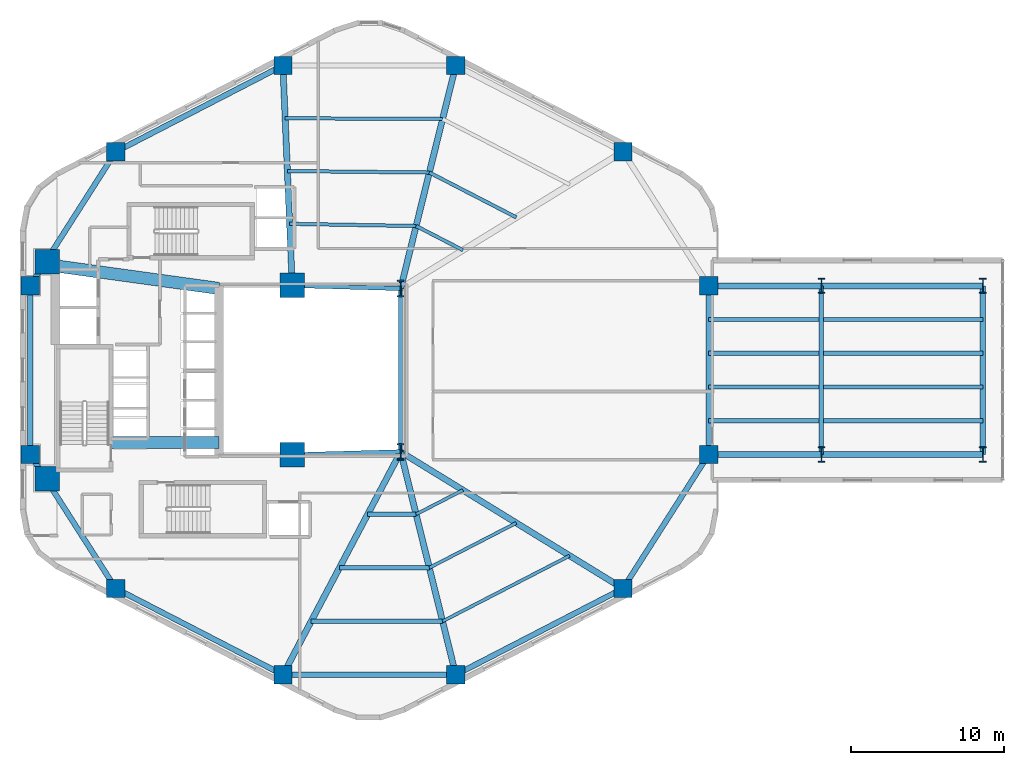
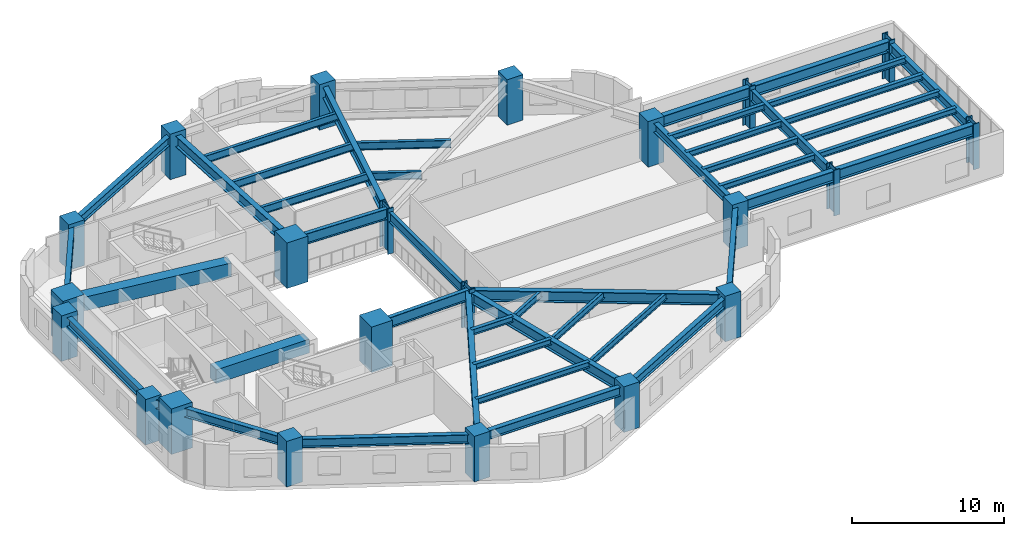
# One storey, part 1 of 10: 44 beams, 22 columns.
"""IFC4 building model written with IfcOpenShell, lengths in metres."""

from ifc_helpers import new_model, si_unit, direction, frame, origin, origin_2d, place, context, subcontext, project, spatial, rectangle, i_section, extrude, material, material_profile, profile_set, type_object, element, save


model = new_model("IFC4")

# Units and contexts
model_context = context("Model", 3, precision=1e-05, world=origin(), true_north=direction((0.0, 1.0)))
body_context = subcontext(model_context, "Body", "Model", "MODEL_VIEW")
ifc_project = project(units=[si_unit("LENGTHUNIT", "METRE"), si_unit("AREAUNIT", "SQUARE_METRE"), si_unit("VOLUMEUNIT", "CUBIC_METRE"), si_unit("PLANEANGLEUNIT", "RADIAN"), si_unit("MASSUNIT", "GRAM", prefix="KILO"), si_unit("THERMODYNAMICTEMPERATUREUNIT", "KELVIN"), si_unit("POWERUNIT", "WATT")], contexts=[model_context])

# Site, building, storey
site_placement = place(None, origin())
site = spatial("IfcSite", under=ifc_project, at=site_placement, CompositionType="ELEMENT")
building_placement = place(site_placement, origin())
building = spatial("IfcBuilding", under=site, at=building_placement, Name="Skarre Station Tower", CompositionType="ELEMENT")
storey_placement = place(building_placement, frame((0.0, 0.0, 56.199951171875)))
storey = spatial("IfcBuildingStorey", under=building, at=storey_placement, Name="L14", CompositionType="ELEMENT", Elevation=56.199951171875)

# Columns
ifc_material_1 = material(Name="Concrete C60/75", Category="concrete")
ifc_material_profile_1 = material_profile(ifc_material_1, rectangle(XDim=1.199951171875, YDim=1.199951171875, at=origin_2d()), Name="Concrete C60/75")
ifc_profile_set_1 = profile_set([ifc_material_profile_1], Name="Concrete C60/75")
column_type_1 = type_object("IfcColumnType", Name="RC Structural Column RC-COL-1200X1200", PredefinedType="COLUMN", material=ifc_profile_set_1)
for number, where, z_axis, x_axis, name in (
    (1, (54.007080078125, 38.298095703125, 0.0), (0.0, 0.0, 1.0), (1.0, 0.0, 0.0), "L14 Zone 1 Perimeter Column F0C1"),
    (2, (43.06005859375, 43.947021484375, 0.0), (0.0, 0.0, 1.0), (1.0, 0.0, 0.0), "L14 Zone 1 Perimeter Column F0C2"),
    (3, (31.739990234375, 43.947021484375, 0.0), (0.0, 0.0, 1.0), (1.0, 0.0, 0.0), "L14 Zone 1 Perimeter Column F1C1"),
    (4, (20.79296875, 38.298095703125, 0.0), (0.0, 0.0, 1.0), (1.0, 0.0, 0.0), "L14 Zone 1 Perimeter Column F1C2"),
    (5, (15.18701171875, 29.52099609375, 0.0), (0.0, 0.0, 1.0), (1.0, 0.0, 0.0), "L14 Zone 1 Perimeter Column F2C1"),
    (6, (15.18701171875, 18.47900390625, 0.0), (0.0, 0.0, 1.0), (1.0, 0.0, 0.0), "L14 Zone 1 Perimeter Column F2C2"),
    (7, (20.79296875, 9.701904296875, 0.0), (0.0, 0.0, 1.0), (1.0, 0.0, 0.0), "L14 Zone 1 Perimeter Column F3C1"),
    (8, (31.739990234375, 4.052978515625, 0.0), (0.0, 0.0, 1.0), (1.0, 0.0, 0.0), "L14 Zone 1 Perimeter Column F3C2"),
    (9, (43.06005859375, 4.052978515625, 0.0), (0.0, 0.0, 1.0), (1.0, 0.0, 0.0), "L14 Zone 1 Perimeter Column F4C1"),
    (10, (54.007080078125, 9.701904296875, 0.0), (0.0, 0.0, 1.0), (1.0, 0.0, 0.0), "L14 Zone 1 Perimeter Column F4C2"),
    (11, (59.613037109375, 18.47900390625, 0.0), (0.0, 0.0, 1.0), (1.0, 0.0, 0.0), "L14 Zone 1 Perimeter Column F5C1"),
    (12, (59.613037109375, 29.52099609375, 0.0), (0.0, 0.0, 1.0), (1.0, 0.0, 0.0), "L14 Zone 1 Perimeter Column F5C2"),
):
    element("IfcColumn", number, at=place(storey_placement, frame(where, z_axis=z_axis, x_axis=x_axis)), inside=storey, type_object=column_type_1, Name=name, PredefinedType="COLUMN", context=body_context, shape_type="SweptSolid", body=[
        extrude(rectangle(XDim=1.199951171875, YDim=1.199951171875, at=origin_2d()), origin(), (0.0, 0.0, 1.0), 3.650146484375),
    ])
ifc_material_2 = material(Name="Concrete C70/85", Category="concrete")
ifc_material_profile_2 = material_profile(ifc_material_2, rectangle(XDim=1.60009765625, YDim=1.60009765625, at=origin_2d()), Name="Concrete C70/85")
ifc_profile_set_2 = profile_set([ifc_material_profile_2], Name="Concrete C70/85")
column_type_2 = type_object("IfcColumnType", Name="RC Structural Column RC-COL-1600X1600", PredefinedType="COLUMN", material=ifc_profile_set_2)
for number, where, z_axis, x_axis, name in (
    (13, (16.300048828125, 16.89990234375, 0.0), (0.0, 0.0, 1.0), (1.0, 0.0, 0.0), "L14 Core Column CC-SW"),
    (14, (16.300048828125, 31.10009765625, 0.0), (0.0, 0.0, 1.0), (1.0, 0.0, 0.0), "L14 Core Column CC-NW"),
    (15, (32.35009765625, 18.449951171875, 0.0), (0.0, 0.0, 1.0), (1.0, 0.0, 0.0), "L14 Core Column CC-SE"),
    (16, (32.35009765625, 29.550048828125, 0.0), (0.0, 0.0, 1.0), (1.0, 0.0, 0.0), "L14 Core Column CC-NE"),
):
    element("IfcColumn", number, at=place(storey_placement, frame(where, z_axis=z_axis, x_axis=x_axis)), inside=storey, type_object=column_type_2, Name=name, PredefinedType="COLUMN", context=body_context, shape_type="SweptSolid", body=[
        extrude(rectangle(XDim=1.60009765625, YDim=1.60009765625, at=origin_2d()), origin(), (0.0, 0.0, 1.0), 3.650146484375),
    ])
ifc_material_3 = material(Name="Steel ASTM A913 Grade 65", Category="steel")
ifc_material_profile_3 = material_profile(ifc_material_3, i_section(OverallWidth=0.430908203125, OverallDepth=0.987060546875, WebThickness=0.033935546875, FlangeThickness=0.06201171875, at=origin_2d()), Name="Steel ASTM A913 Grade 65")
ifc_profile_set_3 = profile_set([ifc_material_profile_3], Name="Steel ASTM A913 Grade 65")
column_type_3 = type_object("IfcColumnType", Name="Steel Column W36X441", PredefinedType="COLUMN", material=ifc_profile_set_3)
for number, where, z_axis, x_axis, name in (
    (17, (66.992919921875, 18.47900390625, 0.0), (0.0, 0.0, 1.0), (1.0, 0.0, 0.0), "L14 SB-1 Sky-Bar Frame Column M1"),
    (18, (66.992919921875, 29.52099609375, 0.0), (0.0, 0.0, 1.0), (1.0, 0.0, 0.0), "L14 SB-1 Sky-Bar Frame Column M2"),
    (19, (77.56298828125, 18.47900390625, 0.0), (0.0, 0.0, 1.0), (1.0, 0.0, 0.0), "L14 SB-1 Sky-Bar Frame Column T1"),
    (20, (77.56298828125, 29.52099609375, 0.0), (0.0, 0.0, 1.0), (1.0, 0.0, 0.0), "L14 SB-1 Sky-Bar Frame Column T2"),
):
    element("IfcColumn", number, at=place(storey_placement, frame(where, z_axis=z_axis, x_axis=x_axis)), inside=storey, type_object=column_type_3, Name=name, PredefinedType="COLUMN", context=body_context, shape_type="SweptSolid", body=[
        extrude(i_section(OverallWidth=0.430908203125, OverallDepth=0.987060546875, WebThickness=0.033935546875, FlangeThickness=0.06201171875, at=origin_2d()), origin(), (0.0, 0.0, 1.0), 3.650146484375),
    ])
ifc_material_profile_4 = material_profile(ifc_material_3, i_section(OverallWidth=0.424072265625, OverallDepth=1.092041015625, WebThickness=0.044921875, FlangeThickness=0.08203125, at=origin_2d()), Name="Steel ASTM A913 Grade 65")
ifc_profile_set_4 = profile_set([ifc_material_profile_4], Name="Steel ASTM A913 Grade 65")
column_type_4 = type_object("IfcColumnType", Name="Steel Column W40X593", PredefinedType="COLUMN", material=ifc_profile_set_4)
for number, where, z_axis, x_axis, name in (
    (21, (39.449951171875, 18.64990234375, 0.0), (0.0, 0.0, 1.0), (1.0, 0.0, 0.0), "L14 Atrium Spine Column AC-SE"),
    (22, (39.449951171875, 29.35009765625, 0.0), (0.0, 0.0, 1.0), (1.0, 0.0, 0.0), "L14 Atrium Spine Column AC-NE"),
):
    element("IfcColumn", number, at=place(storey_placement, frame(where, z_axis=z_axis, x_axis=x_axis)), inside=storey, type_object=column_type_4, Name=name, PredefinedType="COLUMN", context=body_context, shape_type="SweptSolid", body=[
        extrude(i_section(OverallWidth=0.424072265625, OverallDepth=1.092041015625, WebThickness=0.044921875, FlangeThickness=0.08203125, at=origin_2d()), origin(), (0.0, 0.0, 1.0), 3.650146484375),
    ])

# Beams
ifc_material_profile_5 = material_profile(ifc_material_2, rectangle(XDim=0.800048828125, YDim=1.10009765625, at=origin_2d()), Name="Concrete C70/85")
ifc_profile_set_5 = profile_set([ifc_material_profile_5], Name="Concrete C70/85")
beam_type_1 = type_object("IfcBeamType", Name="RC Core Coupling Lintel 800x1100", PredefinedType="LINTEL", material=ifc_profile_set_5)
beam_1_placement = place(storey_placement, frame((20.489990234375, 19.260009765625, 2.81005859375), z_axis=(1.0, 0.0, 0.0), x_axis=(0.0, 1.0, 0.0)))
element("IfcBeam", 23, at=beam_1_placement, inside=storey, type_object=beam_type_1, Name="L14 South Core Coupling Lintel", PredefinedType="LINTEL", context=body_context, shape_type="SweptSolid", body=[
    extrude(rectangle(XDim=0.800048828125, YDim=1.10009765625, at=origin_2d()), origin(), (0.0, 0.0, 1.0), 7.06005859375),
])
beam_2_placement = place(storey_placement, frame((17.050048828125, 30.800048828125, 2.81005859375), z_axis=(0.990599723633, -0.136792498109, 0.0), x_axis=(0.136792498109, 0.990599723633, 0.0)))
element("IfcBeam", 24, at=beam_2_placement, inside=storey, type_object=beam_type_1, Name="L14 North Core Coupling Lintel", PredefinedType="LINTEL", context=body_context, shape_type="SweptSolid", body=[
    extrude(rectangle(XDim=0.800048828125, YDim=1.10009765625, at=origin_2d()), origin(), (0.0, 0.0, 1.0), 10.599609375),
])
ifc_material_4 = material(Name="Steel ASTM A992 Grade 50", Category="steel")
ifc_material_profile_6 = material_profile(ifc_material_4, i_section(OverallWidth=0.26806640625, OverallDepth=0.77001953125, WebThickness=0.01611328125, FlangeThickness=0.02490234375, at=origin_2d()), Name="Steel ASTM A992 Grade 50")
ifc_profile_set_6 = profile_set([ifc_material_profile_6], Name="Steel ASTM A992 Grade 50")
beam_type_2 = type_object("IfcBeamType", Name="Steel Beam W30X132", PredefinedType="BEAM", material=ifc_profile_set_6)
beam_3_placement = place(storey_placement, frame((39.449951171875, 18.64990234375, 2.97509765625), z_axis=(0.0, 1.0, 0.0), x_axis=(-1.0, 0.0, 0.0)))
element("IfcBeam", 25, at=beam_3_placement, inside=storey, type_object=beam_type_2, Name="L14 Atrium East Edge Girder", PredefinedType="BEAM", context=body_context, shape_type="SweptSolid", body=[
    extrude(i_section(OverallWidth=0.26806640625, OverallDepth=0.77001953125, WebThickness=0.01611328125, FlangeThickness=0.02490234375, at=origin_2d()), origin(), (0.0, 0.0, 1.0), 10.7001953125),
])
ifc_material_profile_7 = material_profile(ifc_material_4, i_section(OverallWidth=0.2919921875, OverallDepth=0.85888671875, WebThickness=0.01708984375, FlangeThickness=0.031005859375, at=origin_2d()), Name="Steel ASTM A992 Grade 50")
ifc_profile_set_7 = profile_set([ifc_material_profile_7], Name="Steel ASTM A992 Grade 50")
beam_type_3 = type_object("IfcBeamType", Name="Steel Beam W33X169", PredefinedType="BEAM", material=ifc_profile_set_7)
for number, where, z_axis, x_axis, name in (
    (26, (32.35009765625, 18.449951171875, 2.93115234375), (0.999603666405, 0.028151556095, 0.0), (-0.028151556095, 0.999603666405, 0.0), "L14 Atrium South Edge Girder"),
    (27, (32.35009765625, 29.550048828125, 2.93115234375), (0.999603666405, -0.028151556095, 0.0), (0.028151556095, 0.999603666405, 0.0), "L14 Atrium North Edge Girder"),
):
    element("IfcBeam", number, at=place(storey_placement, frame(where, z_axis=z_axis, x_axis=x_axis)), inside=storey, type_object=beam_type_3, Name=name, PredefinedType="BEAM", context=body_context, shape_type="SweptSolid", body=[
        extrude(i_section(OverallWidth=0.2919921875, OverallDepth=0.85888671875, WebThickness=0.01708984375, FlangeThickness=0.031005859375, at=origin_2d()), origin(), (0.0, 0.0, 1.0), 7.102783203125),
    ])
beam_4_placement = place(storey_placement, frame((66.992919921875, 18.47900390625, 2.93115234375), z_axis=(0.0, 1.0, 0.0), x_axis=(-1.0, 0.0, 0.0)))
element("IfcBeam", 28, at=beam_4_placement, inside=storey, type_object=beam_type_3, Name="L14 SB-1 Mid Transverse Girder", PredefinedType="BEAM", context=body_context, shape_type="SweptSolid", body=[
    extrude(i_section(OverallWidth=0.2919921875, OverallDepth=0.85888671875, WebThickness=0.01708984375, FlangeThickness=0.031005859375, at=origin_2d()), origin(), (0.0, 0.0, 1.0), 11.0419921875),
])
ifc_material_profile_8 = material_profile(ifc_material_4, i_section(OverallWidth=0.40087890625, OverallDepth=0.876953125, WebThickness=0.02197265625, FlangeThickness=0.0400390625, at=origin_2d()), Name="Steel ASTM A992 Grade 50")
ifc_profile_set_8 = profile_set([ifc_material_profile_8], Name="Steel ASTM A992 Grade 50")
beam_type_4 = type_object("IfcBeamType", Name="Steel Beam W33X263", PredefinedType="BEAM", material=ifc_profile_set_8)
beam_5_placement = place(storey_placement, frame((39.449951171875, 29.35009765625, 2.922119140625), z_axis=(0.240086037639, 0.9707516132, 0.0), x_axis=(-0.9707516132, 0.240086037639, 0.0)))
element("IfcBeam", 29, at=beam_5_placement, inside=storey, type_object=beam_type_4, Name="L14 Radial Floor Girder F0C2", PredefinedType="BEAM", context=body_context, shape_type="SweptSolid", body=[
    extrude(i_section(OverallWidth=0.40087890625, OverallDepth=0.876953125, WebThickness=0.02197265625, FlangeThickness=0.0400390625, at=origin_2d()), origin(), (0.0, 0.0, 1.0), 15.03662109375),
])
beam_6_placement = place(storey_placement, frame((32.35009765625, 29.550048828125, 2.922119140625), z_axis=(-0.042339479433, 0.999103282189, 0.0), x_axis=(-0.999103282189, -0.042339479433, 0.0)))
element("IfcBeam", 30, at=beam_6_placement, inside=storey, type_object=beam_type_4, Name="L14 Radial Floor Girder F1C1", PredefinedType="BEAM", context=body_context, shape_type="SweptSolid", body=[
    extrude(i_section(OverallWidth=0.40087890625, OverallDepth=0.876953125, WebThickness=0.02197265625, FlangeThickness=0.0400390625, at=origin_2d()), origin(), (0.0, 0.0, 1.0), 14.409912109375),
])
beam_7_placement = place(storey_placement, frame((39.449951171875, 18.64990234375, 2.922119140625), z_axis=(-0.467044240884, -0.884233949279, 0.0), x_axis=(0.884233949279, -0.467044240884, 0.0)))
element("IfcBeam", 31, at=beam_7_placement, inside=storey, type_object=beam_type_4, Name="L14 Radial Floor Girder F3C2", PredefinedType="BEAM", context=body_context, shape_type="SweptSolid", body=[
    extrude(i_section(OverallWidth=0.40087890625, OverallDepth=0.876953125, WebThickness=0.02197265625, FlangeThickness=0.0400390625, at=origin_2d()), origin(), (0.0, 0.0, 1.0), 16.508056640625),
])
beam_8_placement = place(storey_placement, frame((39.449951171875, 18.64990234375, 2.922119140625), z_axis=(0.240086037639, -0.9707516132, 0.0), x_axis=(0.9707516132, 0.240086037639, 0.0)))
element("IfcBeam", 32, at=beam_8_placement, inside=storey, type_object=beam_type_4, Name="L14 Radial Floor Girder F4C1", PredefinedType="BEAM", context=body_context, shape_type="SweptSolid", body=[
    extrude(i_section(OverallWidth=0.40087890625, OverallDepth=0.876953125, WebThickness=0.02197265625, FlangeThickness=0.0400390625, at=origin_2d()), origin(), (0.0, 0.0, 1.0), 15.03662109375),
])
beam_9_placement = place(storey_placement, frame((39.449951171875, 18.64990234375, 2.922119140625), z_axis=(0.851925565957, -0.523662897358, 0.0), x_axis=(0.523662897358, 0.851925565957, 0.0)))
element("IfcBeam", 33, at=beam_9_placement, inside=storey, type_object=beam_type_4, Name="L14 Radial Floor Girder F4C2", PredefinedType="BEAM", context=body_context, shape_type="SweptSolid", body=[
    extrude(i_section(OverallWidth=0.40087890625, OverallDepth=0.876953125, WebThickness=0.02197265625, FlangeThickness=0.0400390625, at=origin_2d()), origin(), (0.0, 0.0, 1.0), 17.08740234375),
])
beam_10_placement = place(storey_placement, frame((59.613037109375, 18.47900390625, 2.922119140625), z_axis=(1.0, 0.0, 0.0), x_axis=(0.0, 1.0, 0.0)))
element("IfcBeam", 34, at=beam_10_placement, inside=storey, type_object=beam_type_4, Name="L14 SB-1 Side 1 Inner Girder", PredefinedType="BEAM", context=body_context, shape_type="SweptSolid", body=[
    extrude(i_section(OverallWidth=0.40087890625, OverallDepth=0.876953125, WebThickness=0.02197265625, FlangeThickness=0.0400390625, at=origin_2d()), origin(), (0.0, 0.0, 1.0), 7.3798828125),
])
beam_11_placement = place(storey_placement, frame((66.992919921875, 18.47900390625, 2.922119140625), z_axis=(1.0, 0.0, 0.0), x_axis=(0.0, 1.0, 0.0)))
element("IfcBeam", 35, at=beam_11_placement, inside=storey, type_object=beam_type_4, Name="L14 SB-1 Side 1 Outer Girder", PredefinedType="BEAM", context=body_context, shape_type="SweptSolid", body=[
    extrude(i_section(OverallWidth=0.40087890625, OverallDepth=0.876953125, WebThickness=0.02197265625, FlangeThickness=0.0400390625, at=origin_2d()), origin(), (0.0, 0.0, 1.0), 10.570068359375),
])
beam_12_placement = place(storey_placement, frame((59.613037109375, 29.52099609375, 2.922119140625), z_axis=(1.0, 0.0, 0.0), x_axis=(0.0, 1.0, 0.0)))
element("IfcBeam", 36, at=beam_12_placement, inside=storey, type_object=beam_type_4, Name="L14 SB-1 Side 2 Inner Girder", PredefinedType="BEAM", context=body_context, shape_type="SweptSolid", body=[
    extrude(i_section(OverallWidth=0.40087890625, OverallDepth=0.876953125, WebThickness=0.02197265625, FlangeThickness=0.0400390625, at=origin_2d()), origin(), (0.0, 0.0, 1.0), 7.3798828125),
])
beam_13_placement = place(storey_placement, frame((66.992919921875, 29.52099609375, 2.922119140625), z_axis=(1.0, 0.0, 0.0), x_axis=(0.0, 1.0, 0.0)))
element("IfcBeam", 37, at=beam_13_placement, inside=storey, type_object=beam_type_4, Name="L14 SB-1 Side 2 Outer Girder", PredefinedType="BEAM", context=body_context, shape_type="SweptSolid", body=[
    extrude(i_section(OverallWidth=0.40087890625, OverallDepth=0.876953125, WebThickness=0.02197265625, FlangeThickness=0.0400390625, at=origin_2d()), origin(), (0.0, 0.0, 1.0), 10.570068359375),
])
ifc_material_profile_9 = material_profile(ifc_material_4, i_section(OverallWidth=0.280029296875, OverallDepth=0.462890625, WebThickness=0.010986328125, FlangeThickness=0.01708984375, at=origin_2d()), Name="Steel ASTM A992 Grade 50")
ifc_profile_set_9 = profile_set([ifc_material_profile_9], Name="Steel ASTM A992 Grade 50")
beam_type_5 = type_object("IfcBeamType", Name="Steel Joist W18X76", PredefinedType="JOIST", material=ifc_profile_set_9)
beam_14_placement = place(storey_placement, frame((37.291015625, 14.56298828125, 3.129150390625), z_axis=(1.0, 0.0, 0.0), x_axis=(0.0, 1.0, 0.0)))
element("IfcBeam", 38, at=beam_14_placement, inside=storey, type_object=beam_type_5, Name="L14 Auxiliary Composite Joist 7", PredefinedType="JOIST", context=body_context, shape_type="SweptSolid", body=[
    extrude(i_section(OverallWidth=0.280029296875, OverallDepth=0.462890625, WebThickness=0.010986328125, FlangeThickness=0.01708984375, at=origin_2d()), origin(), (0.0, 0.0, 1.0), 3.169921875),
])
beam_15_placement = place(storey_placement, frame((35.44091796875, 11.06005859375, 3.129150390625), z_axis=(1.0, 0.0, 0.0), x_axis=(0.0, 1.0, 0.0)))
element("IfcBeam", 39, at=beam_15_placement, inside=storey, type_object=beam_type_5, Name="L14 Auxiliary Composite Joist 8", PredefinedType="JOIST", context=body_context, shape_type="SweptSolid", body=[
    extrude(i_section(OverallWidth=0.280029296875, OverallDepth=0.462890625, WebThickness=0.010986328125, FlangeThickness=0.01708984375, at=origin_2d()), origin(), (0.0, 0.0, 1.0), 5.885986328125),
])
beam_16_placement = place(storey_placement, frame((33.590087890625, 7.555908203125, 3.129150390625), z_axis=(1.0, 0.0, 0.0), x_axis=(0.0, 1.0, 0.0)))
element("IfcBeam", 40, at=beam_16_placement, inside=storey, type_object=beam_type_5, Name="L14 Auxiliary Composite Joist 9", PredefinedType="JOIST", context=body_context, shape_type="SweptSolid", body=[
    extrude(i_section(OverallWidth=0.280029296875, OverallDepth=0.462890625, WebThickness=0.010986328125, FlangeThickness=0.01708984375, at=origin_2d()), origin(), (0.0, 0.0, 1.0), 8.60400390625),
])
beam_17_placement = place(storey_placement, frame((59.613037109375, 20.68701171875, 3.129150390625), z_axis=(1.0, 0.0, 0.0), x_axis=(0.0, 1.0, 0.0)))
element("IfcBeam", 41, at=beam_17_placement, inside=storey, type_object=beam_type_5, Name="L14 SB-1 Inner Deck Joist 1", PredefinedType="JOIST", context=body_context, shape_type="SweptSolid", body=[
    extrude(i_section(OverallWidth=0.280029296875, OverallDepth=0.462890625, WebThickness=0.010986328125, FlangeThickness=0.01708984375, at=origin_2d()), origin(), (0.0, 0.0, 1.0), 7.236083984375),
])
beam_18_placement = place(storey_placement, frame((67.136962890625, 20.68701171875, 3.129150390625), z_axis=(1.0, 0.0, 0.0), x_axis=(0.0, 1.0, 0.0)))
element("IfcBeam", 42, at=beam_18_placement, inside=storey, type_object=beam_type_5, Name="L14 SB-1 Outer Deck Joist 1", PredefinedType="JOIST", context=body_context, shape_type="SweptSolid", body=[
    extrude(i_section(OverallWidth=0.280029296875, OverallDepth=0.462890625, WebThickness=0.010986328125, FlangeThickness=0.01708984375, at=origin_2d()), origin(), (0.0, 0.0, 1.0), 10.426025390625),
])
beam_19_placement = place(storey_placement, frame((59.613037109375, 22.89599609375, 3.129150390625), z_axis=(1.0, 0.0, 0.0), x_axis=(0.0, 1.0, 0.0)))
element("IfcBeam", 43, at=beam_19_placement, inside=storey, type_object=beam_type_5, Name="L14 SB-1 Inner Deck Joist 2", PredefinedType="JOIST", context=body_context, shape_type="SweptSolid", body=[
    extrude(i_section(OverallWidth=0.280029296875, OverallDepth=0.462890625, WebThickness=0.010986328125, FlangeThickness=0.01708984375, at=origin_2d()), origin(), (0.0, 0.0, 1.0), 7.236083984375),
])
beam_20_placement = place(storey_placement, frame((67.136962890625, 22.89599609375, 3.129150390625), z_axis=(1.0, 0.0, 0.0), x_axis=(0.0, 1.0, 0.0)))
element("IfcBeam", 44, at=beam_20_placement, inside=storey, type_object=beam_type_5, Name="L14 SB-1 Outer Deck Joist 2", PredefinedType="JOIST", context=body_context, shape_type="SweptSolid", body=[
    extrude(i_section(OverallWidth=0.280029296875, OverallDepth=0.462890625, WebThickness=0.010986328125, FlangeThickness=0.01708984375, at=origin_2d()), origin(), (0.0, 0.0, 1.0), 10.426025390625),
])
beam_21_placement = place(storey_placement, frame((59.613037109375, 25.10400390625, 3.129150390625), z_axis=(1.0, 0.0, 0.0), x_axis=(0.0, 1.0, 0.0)))
element("IfcBeam", 45, at=beam_21_placement, inside=storey, type_object=beam_type_5, Name="L14 SB-1 Inner Deck Joist 3", PredefinedType="JOIST", context=body_context, shape_type="SweptSolid", body=[
    extrude(i_section(OverallWidth=0.280029296875, OverallDepth=0.462890625, WebThickness=0.010986328125, FlangeThickness=0.01708984375, at=origin_2d()), origin(), (0.0, 0.0, 1.0), 7.236083984375),
])
beam_22_placement = place(storey_placement, frame((67.136962890625, 25.10400390625, 3.129150390625), z_axis=(1.0, 0.0, 0.0), x_axis=(0.0, 1.0, 0.0)))
element("IfcBeam", 46, at=beam_22_placement, inside=storey, type_object=beam_type_5, Name="L14 SB-1 Outer Deck Joist 3", PredefinedType="JOIST", context=body_context, shape_type="SweptSolid", body=[
    extrude(i_section(OverallWidth=0.280029296875, OverallDepth=0.462890625, WebThickness=0.010986328125, FlangeThickness=0.01708984375, at=origin_2d()), origin(), (0.0, 0.0, 1.0), 10.426025390625),
])
beam_23_placement = place(storey_placement, frame((59.613037109375, 27.31298828125, 3.129150390625), z_axis=(1.0, 0.0, 0.0), x_axis=(0.0, 1.0, 0.0)))
element("IfcBeam", 47, at=beam_23_placement, inside=storey, type_object=beam_type_5, Name="L14 SB-1 Inner Deck Joist 4", PredefinedType="JOIST", context=body_context, shape_type="SweptSolid", body=[
    extrude(i_section(OverallWidth=0.280029296875, OverallDepth=0.462890625, WebThickness=0.010986328125, FlangeThickness=0.01708984375, at=origin_2d()), origin(), (0.0, 0.0, 1.0), 7.236083984375),
])
beam_24_placement = place(storey_placement, frame((67.136962890625, 27.31298828125, 3.129150390625), z_axis=(1.0, 0.0, 0.0), x_axis=(0.0, 1.0, 0.0)))
element("IfcBeam", 48, at=beam_24_placement, inside=storey, type_object=beam_type_5, Name="L14 SB-1 Outer Deck Joist 4", PredefinedType="JOIST", context=body_context, shape_type="SweptSolid", body=[
    extrude(i_section(OverallWidth=0.280029296875, OverallDepth=0.462890625, WebThickness=0.010986328125, FlangeThickness=0.01708984375, at=origin_2d()), origin(), (0.0, 0.0, 1.0), 10.426025390625),
])
ifc_material_profile_10 = material_profile(ifc_material_4, i_section(OverallWidth=0.208984375, OverallDepth=0.532958984375, WebThickness=0.010009765625, FlangeThickness=0.01611328125, at=origin_2d()), Name="Steel ASTM A992 Grade 50")
ifc_profile_set_10 = profile_set([ifc_material_profile_10], Name="Steel ASTM A992 Grade 50")
beam_type_6 = type_object("IfcBeamType", Name="Steel Joist W21X62", PredefinedType="JOIST", material=ifc_profile_set_10)
beam_25_placement = place(storey_placement, frame((40.4609375, 14.56298828125, 3.093994140625), z_axis=(0.888605767214, 0.458671767687, 0.0), x_axis=(-0.458671767687, 0.888605767214, 0.0)))
element("IfcBeam", 49, at=beam_25_placement, inside=storey, type_object=beam_type_6, Name="L14 Auxiliary Composite Joist 10", PredefinedType="JOIST", context=body_context, shape_type="SweptSolid", body=[
    extrude(i_section(OverallWidth=0.208984375, OverallDepth=0.532958984375, WebThickness=0.010009765625, FlangeThickness=0.01611328125, at=origin_2d()), origin(), (0.0, 0.0, 1.0), 3.44921875),
])
beam_26_placement = place(storey_placement, frame((41.326904296875, 11.06005859375, 3.093994140625), z_axis=(0.888707823182, 0.458473996007, 0.0), x_axis=(-0.458473996007, 0.888707823182, 0.0)))
element("IfcBeam", 50, at=beam_26_placement, inside=storey, type_object=beam_type_6, Name="L14 Auxiliary Composite Joist 11", PredefinedType="JOIST", context=body_context, shape_type="SweptSolid", body=[
    extrude(i_section(OverallWidth=0.208984375, OverallDepth=0.532958984375, WebThickness=0.010009765625, FlangeThickness=0.01611328125, at=origin_2d()), origin(), (0.0, 0.0, 1.0), 6.406005859375),
])
beam_27_placement = place(storey_placement, frame((42.194091796875, 7.555908203125, 3.093994140625), z_axis=(0.888594941555, 0.458692740125, 0.0), x_axis=(-0.458692740125, 0.888594941555, 0.0)))
element("IfcBeam", 51, at=beam_27_placement, inside=storey, type_object=beam_type_6, Name="L14 Auxiliary Composite Joist 12", PredefinedType="JOIST", context=body_context, shape_type="SweptSolid", body=[
    extrude(i_section(OverallWidth=0.208984375, OverallDepth=0.532958984375, WebThickness=0.010009765625, FlangeThickness=0.01611328125, at=origin_2d()), origin(), (0.0, 0.0, 1.0), 9.36181640625),
])
ifc_material_profile_11 = material_profile(ifc_material_4, i_section(OverallWidth=0.22802734375, OverallDepth=0.60791015625, WebThickness=0.010986328125, FlangeThickness=0.01708984375, at=origin_2d()), Name="Steel ASTM A992 Grade 50")
ifc_profile_set_11 = profile_set([ifc_material_profile_11], Name="Steel ASTM A992 Grade 50")
beam_type_7 = type_object("IfcBeamType", Name="Steel Joist W24X76", PredefinedType="JOIST", material=ifc_profile_set_11)
beam_28_placement = place(storey_placement, frame((43.52587890625, 31.85498046875, 3.05615234375), z_axis=(-0.888605767214, 0.458671767687, 0.0), x_axis=(-0.458671767687, -0.888605767214, 0.0)))
element("IfcBeam", 52, at=beam_28_placement, inside=storey, type_object=beam_type_7, Name="L14 Secondary Floor Joist 1", PredefinedType="JOIST", context=body_context, shape_type="SweptSolid", body=[
    extrude(i_section(OverallWidth=0.22802734375, OverallDepth=0.60791015625, WebThickness=0.010986328125, FlangeThickness=0.01708984375, at=origin_2d()), origin(), (0.0, 0.0, 1.0), 3.44921875),
])
beam_29_placement = place(storey_placement, frame((47.02001953125, 34.0029296875, 3.05615234375), z_axis=(-0.888707823182, 0.458473996007, 0.0), x_axis=(-0.458473996007, -0.888707823182, 0.0)))
element("IfcBeam", 53, at=beam_29_placement, inside=storey, type_object=beam_type_7, Name="L14 Secondary Floor Joist 2", PredefinedType="JOIST", context=body_context, shape_type="SweptSolid", body=[
    extrude(i_section(OverallWidth=0.22802734375, OverallDepth=0.60791015625, WebThickness=0.010986328125, FlangeThickness=0.01708984375, at=origin_2d()), origin(), (0.0, 0.0, 1.0), 6.406005859375),
])
beam_30_placement = place(storey_placement, frame((40.4609375, 33.43701171875, 3.05615234375), z_axis=(-0.999848787739, 0.017389699754, 0.0), x_axis=(-0.017389699754, -0.999848787739, 0.0)))
element("IfcBeam", 54, at=beam_30_placement, inside=storey, type_object=beam_type_7, Name="L14 Secondary Floor Joist 4", PredefinedType="JOIST", context=body_context, shape_type="SweptSolid", body=[
    extrude(i_section(OverallWidth=0.22802734375, OverallDepth=0.60791015625, WebThickness=0.010986328125, FlangeThickness=0.01708984375, at=origin_2d()), origin(), (0.0, 0.0, 1.0), 8.283203125),
])
beam_31_placement = place(storey_placement, frame((41.326904296875, 36.93994140625, 3.05615234375), z_axis=(-0.999946715577, 0.010323081308, 0.0), x_axis=(-0.010323081308, -0.999946715577, 0.0)))
element("IfcBeam", 55, at=beam_31_placement, inside=storey, type_object=beam_type_7, Name="L14 Secondary Floor Joist 5", PredefinedType="JOIST", context=body_context, shape_type="SweptSolid", body=[
    extrude(i_section(OverallWidth=0.22802734375, OverallDepth=0.60791015625, WebThickness=0.010986328125, FlangeThickness=0.01708984375, at=origin_2d()), origin(), (0.0, 0.0, 1.0), 9.29443359375),
])
beam_32_placement = place(storey_placement, frame((42.194091796875, 40.444091796875, 3.05615234375), z_axis=(-0.99998922549, 0.004642079679, 0.0), x_axis=(-0.004642079679, -0.99998922549, 0.0)))
element("IfcBeam", 56, at=beam_32_placement, inside=storey, type_object=beam_type_7, Name="L14 Secondary Floor Joist 6", PredefinedType="JOIST", context=body_context, shape_type="SweptSolid", body=[
    extrude(i_section(OverallWidth=0.22802734375, OverallDepth=0.60791015625, WebThickness=0.010986328125, FlangeThickness=0.01708984375, at=origin_2d()), origin(), (0.0, 0.0, 1.0), 10.30810546875),
])
ifc_material_profile_12 = material_profile(ifc_material_4, i_section(OverallWidth=0.35791015625, OverallDepth=0.7060546875, WebThickness=0.01806640625, FlangeThickness=0.030029296875, at=origin_2d()), Name="Steel ASTM A992 Grade 50")
ifc_profile_set_12 = profile_set([ifc_material_profile_12], Name="Steel ASTM A992 Grade 50")
beam_type_8 = type_object("IfcBeamType", Name="Steel Spandrel W27X178", PredefinedType="SPANDREL", material=ifc_profile_set_12)
beam_33_placement = place(storey_placement, frame((31.739990234375, 43.947021484375, 3.007080078125), z_axis=(-0.888658695823, -0.458569212158, 0.0), x_axis=(0.458569212158, -0.888658695823, 0.0)))
element("IfcBeam", 57, at=beam_33_placement, inside=storey, type_object=beam_type_8, Name="L14 Facet Spandrel Beam 3", PredefinedType="SPANDREL", context=body_context, shape_type="SweptSolid", body=[
    extrude(i_section(OverallWidth=0.35791015625, OverallDepth=0.7060546875, WebThickness=0.01806640625, FlangeThickness=0.030029296875, at=origin_2d()), origin(), (0.0, 0.0, 1.0), 12.318603515625),
])
beam_34_placement = place(storey_placement, frame((20.79296875, 38.298095703125, 3.007080078125), z_axis=(-0.538277829225, -0.842767452246, 0.0), x_axis=(0.842767452246, -0.538277829225, 0.0)))
element("IfcBeam", 58, at=beam_34_placement, inside=storey, type_object=beam_type_8, Name="L14 Facet Spandrel Beam 4", PredefinedType="SPANDREL", context=body_context, shape_type="SweptSolid", body=[
    extrude(i_section(OverallWidth=0.35791015625, OverallDepth=0.7060546875, WebThickness=0.01806640625, FlangeThickness=0.030029296875, at=origin_2d()), origin(), (0.0, 0.0, 1.0), 10.41455078125),
])
beam_35_placement = place(storey_placement, frame((15.18701171875, 29.52099609375, 3.007080078125), z_axis=(0.0, -1.0, 0.0), x_axis=(1.0, 0.0, 0.0)))
element("IfcBeam", 59, at=beam_35_placement, inside=storey, type_object=beam_type_8, Name="L14 Facet Spandrel Beam 5", PredefinedType="SPANDREL", context=body_context, shape_type="SweptSolid", body=[
    extrude(i_section(OverallWidth=0.35791015625, OverallDepth=0.7060546875, WebThickness=0.01806640625, FlangeThickness=0.030029296875, at=origin_2d()), origin(), (0.0, 0.0, 1.0), 11.0419921875),
])
beam_36_placement = place(storey_placement, frame((15.18701171875, 18.47900390625, 3.007080078125), z_axis=(0.538277829225, -0.842767452246, 0.0), x_axis=(0.842767452246, 0.538277829225, 0.0)))
element("IfcBeam", 60, at=beam_36_placement, inside=storey, type_object=beam_type_8, Name="L14 Facet Spandrel Beam 6", PredefinedType="SPANDREL", context=body_context, shape_type="SweptSolid", body=[
    extrude(i_section(OverallWidth=0.35791015625, OverallDepth=0.7060546875, WebThickness=0.01806640625, FlangeThickness=0.030029296875, at=origin_2d()), origin(), (0.0, 0.0, 1.0), 10.41455078125),
])
beam_37_placement = place(storey_placement, frame((20.79296875, 9.701904296875, 3.007080078125), z_axis=(0.888658695823, -0.458569212158, 0.0), x_axis=(0.458569212158, 0.888658695823, 0.0)))
element("IfcBeam", 61, at=beam_37_placement, inside=storey, type_object=beam_type_8, Name="L14 Facet Spandrel Beam 7", PredefinedType="SPANDREL", context=body_context, shape_type="SweptSolid", body=[
    extrude(i_section(OverallWidth=0.35791015625, OverallDepth=0.7060546875, WebThickness=0.01806640625, FlangeThickness=0.030029296875, at=origin_2d()), origin(), (0.0, 0.0, 1.0), 12.318603515625),
])
beam_38_placement = place(storey_placement, frame((31.739990234375, 4.052978515625, 3.007080078125), z_axis=(1.0, 0.0, 0.0), x_axis=(0.0, 1.0, 0.0)))
element("IfcBeam", 62, at=beam_38_placement, inside=storey, type_object=beam_type_8, Name="L14 Facet Spandrel Beam 8", PredefinedType="SPANDREL", context=body_context, shape_type="SweptSolid", body=[
    extrude(i_section(OverallWidth=0.35791015625, OverallDepth=0.7060546875, WebThickness=0.01806640625, FlangeThickness=0.030029296875, at=origin_2d()), origin(), (0.0, 0.0, 1.0), 11.320068359375),
])
beam_39_placement = place(storey_placement, frame((43.06005859375, 4.052978515625, 3.007080078125), z_axis=(0.888658695823, 0.458569212158, 0.0), x_axis=(-0.458569212158, 0.888658695823, 0.0)))
element("IfcBeam", 63, at=beam_39_placement, inside=storey, type_object=beam_type_8, Name="L14 Facet Spandrel Beam 9", PredefinedType="SPANDREL", context=body_context, shape_type="SweptSolid", body=[
    extrude(i_section(OverallWidth=0.35791015625, OverallDepth=0.7060546875, WebThickness=0.01806640625, FlangeThickness=0.030029296875, at=origin_2d()), origin(), (0.0, 0.0, 1.0), 12.318603515625),
])
beam_40_placement = place(storey_placement, frame((54.007080078125, 9.701904296875, 3.007080078125), z_axis=(0.538277829225, 0.842767452246, 0.0), x_axis=(-0.842767452246, 0.538277829225, 0.0)))
element("IfcBeam", 64, at=beam_40_placement, inside=storey, type_object=beam_type_8, Name="L14 Facet Spandrel Beam 10", PredefinedType="SPANDREL", context=body_context, shape_type="SweptSolid", body=[
    extrude(i_section(OverallWidth=0.35791015625, OverallDepth=0.7060546875, WebThickness=0.01806640625, FlangeThickness=0.030029296875, at=origin_2d()), origin(), (0.0, 0.0, 1.0), 10.41455078125),
])
beam_41_placement = place(storey_placement, frame((59.613037109375, 18.47900390625, 3.007080078125), z_axis=(0.0, 1.0, 0.0), x_axis=(-1.0, 0.0, 0.0)))
element("IfcBeam", 65, at=beam_41_placement, inside=storey, type_object=beam_type_8, Name="L14 Facet Spandrel Beam 11", PredefinedType="SPANDREL", context=body_context, shape_type="SweptSolid", body=[
    extrude(i_section(OverallWidth=0.35791015625, OverallDepth=0.7060546875, WebThickness=0.01806640625, FlangeThickness=0.030029296875, at=origin_2d()), origin(), (0.0, 0.0, 1.0), 11.0419921875),
])
ifc_material_profile_13 = material_profile(ifc_material_4, i_section(OverallWidth=0.384033203125, OverallDepth=0.785888671875, WebThickness=0.02001953125, FlangeThickness=0.032958984375, at=origin_2d()), Name="Steel ASTM A992 Grade 50")
ifc_profile_set_13 = profile_set([ifc_material_profile_13], Name="Steel ASTM A992 Grade 50")
beam_type_9 = type_object("IfcBeamType", Name="Steel Spandrel W30X211", PredefinedType="SPANDREL", material=ifc_profile_set_13)
beam_42_placement = place(storey_placement, frame((77.56298828125, 18.47900390625, 2.967041015625), z_axis=(0.0, 1.0, 0.0), x_axis=(-1.0, 0.0, 0.0)))
element("IfcBeam", 66, at=beam_42_placement, inside=storey, type_object=beam_type_9, Name="L14 SB-1 Prow Spandrel Girder", PredefinedType="SPANDREL", context=body_context, shape_type="SweptSolid", body=[
    extrude(i_section(OverallWidth=0.384033203125, OverallDepth=0.785888671875, WebThickness=0.02001953125, FlangeThickness=0.032958984375, at=origin_2d()), origin(), (0.0, 0.0, 1.0), 11.0419921875),
])

save(model, "model.ifc")
